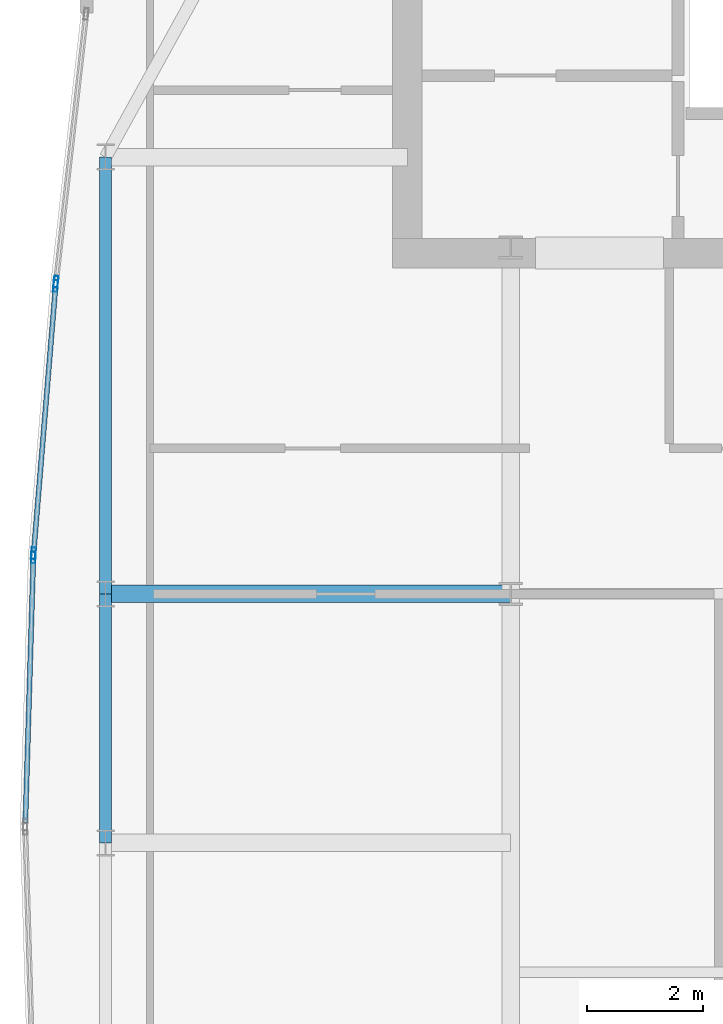
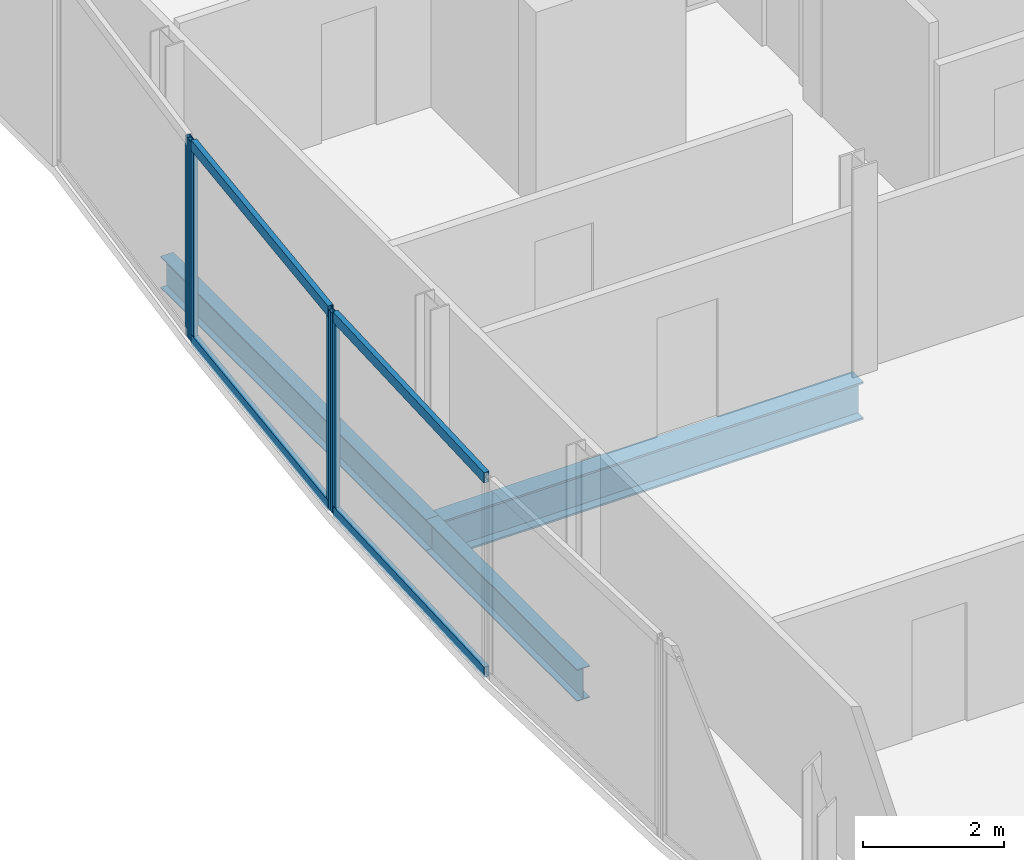
# One storey, part 9 of 25: 8 members, 3 beams, 3 elements without a shape of their own.
"""IFC4 building model written with IfcOpenShell, lengths in metres."""

from ifc_helpers import new_model, si_unit, direction, frame, origin, origin_2d, place, context, subcontext, project, spatial, hollow_rectangle, i_section, extrude, material, material_profile, profile_set, type_object, element, aggregate, save


model = new_model("IFC4")

# Units and contexts
model_context = context("Model", 3, precision=1e-05, world=origin(), true_north=direction((0.0, 1.0)))
body_context = subcontext(model_context, "Body", "Model", "MODEL_VIEW")
ifc_project = project(units=[si_unit("LENGTHUNIT", "METRE"), si_unit("AREAUNIT", "SQUARE_METRE"), si_unit("VOLUMEUNIT", "CUBIC_METRE"), si_unit("PLANEANGLEUNIT", "RADIAN"), si_unit("MASSUNIT", "GRAM", prefix="KILO")], contexts=[model_context])

# Site, building, storey
site_placement = place(None, origin())
site = spatial("IfcSite", under=ifc_project, at=site_placement, CompositionType="ELEMENT")
building_placement = place(site_placement, origin())
building = spatial("IfcBuilding", under=site, at=building_placement, Name="Khoronbel Lancet Exchange", CompositionType="ELEMENT")
storey_placement = place(building_placement, frame((0.0, 0.0, 295.0)))
storey = spatial("IfcBuildingStorey", under=building, at=storey_placement, Name="L76", CompositionType="ELEMENT", Elevation=295.0)

# Beams
ifc_material_1 = material(Name="Steel S355", Category="steel")
ifc_material_profile_1 = material_profile(ifc_material_1, i_section(OverallWidth=0.300048828125, OverallDepth=0.64990234375, WebThickness=0.01611328125, FlangeThickness=0.031005859375, at=origin_2d()), Name="HEB 650")
ifc_profile_set_1 = profile_set([ifc_material_profile_1], Name="Steel S355")
beam_type_1 = type_object("IfcBeamType", Name="BM-BG4", PredefinedType="BEAM", material=ifc_profile_set_1)
beam_1_placement = place(storey_placement, frame((11.27001953125, 35.699951171875, -0.485107421875), z_axis=(1.0, 0.0, 0.0), x_axis=(0.0, 1.0, 0.0)))
element("IfcBeam", 1, at=beam_1_placement, inside=storey, type_object=beam_type_1, Name="Level L76 west lens tie girder LG4W", PredefinedType="BEAM", context=body_context, shape_type="SweptSolid", body=[
    extrude(i_section(OverallWidth=0.300048828125, OverallDepth=0.64990234375, WebThickness=0.01611328125, FlangeThickness=0.031005859375, at=origin_2d()), origin(), (0.0, 0.0, 1.0), 6.955078125),
])
ifc_material_profile_2 = material_profile(ifc_material_1, i_section(OverallWidth=0.2099609375, OverallDepth=0.550048828125, WebThickness=0.010986328125, FlangeThickness=0.01708984375, at=origin_2d()), Name="IPE 550")
ifc_profile_set_2 = profile_set([ifc_material_profile_2], Name="Steel S355")
beam_type_2 = type_object("IfcBeamType", Name="BM-BSP3", PredefinedType="SPANDREL", material=ifc_profile_set_2)
beam_2_placement = place(storey_placement, frame((11.27001953125, 43.199951171875, -0.43505859375), z_axis=(0.0, -1.0, 0.0), x_axis=(1.0, 0.0, 0.0)))
element("IfcBeam", 2, at=beam_2_placement, inside=storey, type_object=beam_type_2, Name="Level L76 perimeter spandrel beam SP17", PredefinedType="SPANDREL", context=body_context, shape_type="SweptSolid", body=[
    extrude(i_section(OverallWidth=0.2099609375, OverallDepth=0.550048828125, WebThickness=0.010986328125, FlangeThickness=0.01708984375, at=origin_2d()), origin(), (0.0, 0.0, 1.0), 7.5),
])
beam_3_placement = place(storey_placement, frame((11.27001953125, 35.699951171875, -0.43505859375), z_axis=(0.0, -1.0, 0.0), x_axis=(1.0, 0.0, 0.0)))
element("IfcBeam", 3, at=beam_3_placement, inside=storey, type_object=beam_type_2, Name="Level L76 perimeter spandrel beam SP18", PredefinedType="SPANDREL", context=body_context, shape_type="SweptSolid", body=[
    extrude(i_section(OverallWidth=0.2099609375, OverallDepth=0.550048828125, WebThickness=0.010986328125, FlangeThickness=0.01708984375, at=origin_2d()), origin(), (0.0, 0.0, 1.0), 4.27490234375),
])

# Curtain wall, member
ifc_material_2 = material(Name="Low-E Solar Control Insulating Glass", Category="glass")
curtain_wall_type = type_object("IfcCurtainWallType", Name="CW-4", PredefinedType="NOTDEFINED", material=ifc_material_2)
curtain_wall_1_placement = place(storey_placement, origin())
curtain_wall_1 = element("IfcCurtainWall", 4, at=curtain_wall_1_placement, inside=storey, type_object=curtain_wall_type, Name="Unitised curtain wall CW-L76-E07", PredefinedType="NOTDEFINED")
ifc_material_3 = material(Name="Bronze-Anodised Aluminium 6063-T6", Category="aluminium")
ifc_material_profile_3 = material_profile(ifc_material_3, hollow_rectangle(XDim=0.074951171875, YDim=0.199951171875, WallThickness=0.0048828125, at=origin_2d()), Name="ALU MULLION 75x200")
ifc_profile_set_3 = profile_set([ifc_material_profile_3], Name="Bronze-Anodised Aluminium 6063-T6")
member_type_1 = type_object("IfcMemberType", Name="MEM-CWM2", PredefinedType="MULLION", material=ifc_profile_set_3)
member_1_placement = place(storey_placement, frame((10.029541015625, 36.32421875, 0.0), z_axis=(0.0, 0.0, 1.0), x_axis=(-0.999545457549, 0.030147608411, 0.0)))
member_1 = element("IfcMember", 5, at=member_1_placement, type_object=member_type_1, Name="CW4 mullion 2", PredefinedType="MULLION", context=body_context, shape_type="SweptSolid", body=[
    extrude(hollow_rectangle(XDim=0.074951171875, YDim=0.199951171875, WallThickness=0.0048828125, at=origin_2d()), origin(), (0.0, 0.0, 1.0), 3.43994140625),
])

# Curtain wall, members
curtain_wall_2_placement = place(storey_placement, origin())
curtain_wall_2 = element("IfcCurtainWall", 6, at=curtain_wall_2_placement, inside=storey, type_object=curtain_wall_type, Name="Unitised curtain wall CW-L76-E08", PredefinedType="NOTDEFINED")
member_2_placement = place(storey_placement, frame((10.03369140625, 36.39892578125, 0.0), z_axis=(0.0, 0.0, 1.0), x_axis=(-0.996626353667, 0.082072596992, 0.0)))
member_2 = element("IfcMember", 7, at=member_2_placement, type_object=member_type_1, Name="CW4 mullion 1", PredefinedType="MULLION", context=body_context, shape_type="SweptSolid", body=[
    extrude(hollow_rectangle(XDim=0.074951171875, YDim=0.199951171875, WallThickness=0.0048828125, at=origin_2d()), origin(), (0.0, 0.0, 1.0), 3.43994140625),
])
member_3_placement = place(storey_placement, frame((10.41162109375, 40.9873046875, 0.0), z_axis=(0.0, 0.0, 1.0), x_axis=(-0.996626353667, 0.082072596992, 0.0)))
member_3 = element("IfcMember", 8, at=member_3_placement, type_object=member_type_1, Name="CW4 mullion 2", PredefinedType="MULLION", context=body_context, shape_type="SweptSolid", body=[
    extrude(hollow_rectangle(XDim=0.074951171875, YDim=0.199951171875, WallThickness=0.0048828125, at=origin_2d()), origin(), (0.0, 0.0, 1.0), 3.43994140625),
])

# Curtain wall, member
curtain_wall_3_placement = place(storey_placement, origin())
curtain_wall_3 = element("IfcCurtainWall", 9, at=curtain_wall_3_placement, inside=storey, type_object=curtain_wall_type, Name="Unitised curtain wall CW-L76-E09", PredefinedType="NOTDEFINED")
member_4_placement = place(storey_placement, frame((10.418701171875, 41.061767578125, 0.0), z_axis=(0.0, 0.0, 1.0), x_axis=(-0.993731788903, 0.111790570813, 0.0)))
member_4 = element("IfcMember", 10, at=member_4_placement, type_object=member_type_1, Name="CW4 mullion 1", PredefinedType="MULLION", context=body_context, shape_type="SweptSolid", body=[
    extrude(hollow_rectangle(XDim=0.074951171875, YDim=0.199951171875, WallThickness=0.0048828125, at=origin_2d()), origin(), (0.0, 0.0, 1.0), 3.43994140625),
])
aggregate(curtain_wall_3, [member_4])

# Member
ifc_material_profile_4 = material_profile(ifc_material_3, hollow_rectangle(XDim=0.0849609375, YDim=0.179931640625, WallThickness=0.0048828125, at=origin_2d()), Name="ALU TRANSOM 85x180")
ifc_profile_set_4 = profile_set([ifc_material_profile_4], Name="Bronze-Anodised Aluminium 6063-T6")
member_type_2 = type_object("IfcMemberType", Name="MEM-CWT1", PredefinedType="USERDEFINED", material=ifc_profile_set_4)
member_5_placement = place(storey_placement, frame((9.892333984375, 31.77490234375, 0.04248046875), z_axis=(0.030127011135, 0.999546078578, 0.0), x_axis=(-0.999546078578, 0.030127011135, 0.0)))
member_5 = element("IfcMember", 11, at=member_5_placement, type_object=member_type_2, Name="CW4 transom 1.1", ObjectType="TRANSOM", PredefinedType="USERDEFINED", context=body_context, shape_type="SweptSolid", body=[
    extrude(hollow_rectangle(XDim=0.0849609375, YDim=0.179931640625, WallThickness=0.0048828125, at=origin_2d()), origin(), (0.0, 0.0, 1.0), 4.513671875),
])

member_6_placement = place(storey_placement, frame((9.892333984375, 31.77490234375, 3.3974609375), z_axis=(0.030127011135, 0.999546078578, 0.0), x_axis=(-0.999546078578, 0.030127011135, 0.0)))
member_6 = element("IfcMember", 12, at=member_6_placement, type_object=member_type_2, Name="CW4 transom 1.2", ObjectType="TRANSOM", PredefinedType="USERDEFINED", context=body_context, shape_type="SweptSolid", body=[
    extrude(hollow_rectangle(XDim=0.0849609375, YDim=0.179931640625, WallThickness=0.0048828125, at=origin_2d()), origin(), (0.0, 0.0, 1.0), 4.513671875),
])

aggregate(curtain_wall_1, [member_1, member_5, member_6])

member_7_placement = place(storey_placement, frame((10.036865234375, 36.436279296875, 0.04248046875), z_axis=(0.082046117944, 0.996628533873, 0.0), x_axis=(-0.996628533873, 0.082046117944, 0.0)))
member_7 = element("IfcMember", 13, at=member_7_placement, type_object=member_type_2, Name="CW4 transom 1.1", ObjectType="TRANSOM", PredefinedType="USERDEFINED", context=body_context, shape_type="SweptSolid", body=[
    extrude(hollow_rectangle(XDim=0.0849609375, YDim=0.179931640625, WallThickness=0.0048828125, at=origin_2d()), origin(), (0.0, 0.0, 1.0), 4.529052734375),
])

member_8_placement = place(storey_placement, frame((10.036865234375, 36.436279296875, 3.3974609375), z_axis=(0.082046117944, 0.996628533873, 0.0), x_axis=(-0.996628533873, 0.082046117944, 0.0)))
member_8 = element("IfcMember", 14, at=member_8_placement, type_object=member_type_2, Name="CW4 transom 1.2", ObjectType="TRANSOM", PredefinedType="USERDEFINED", context=body_context, shape_type="SweptSolid", body=[
    extrude(hollow_rectangle(XDim=0.0849609375, YDim=0.179931640625, WallThickness=0.0048828125, at=origin_2d()), origin(), (0.0, 0.0, 1.0), 4.529052734375),
])

aggregate(curtain_wall_2, [member_2, member_3, member_7, member_8])

save(model, "model.ifc")
